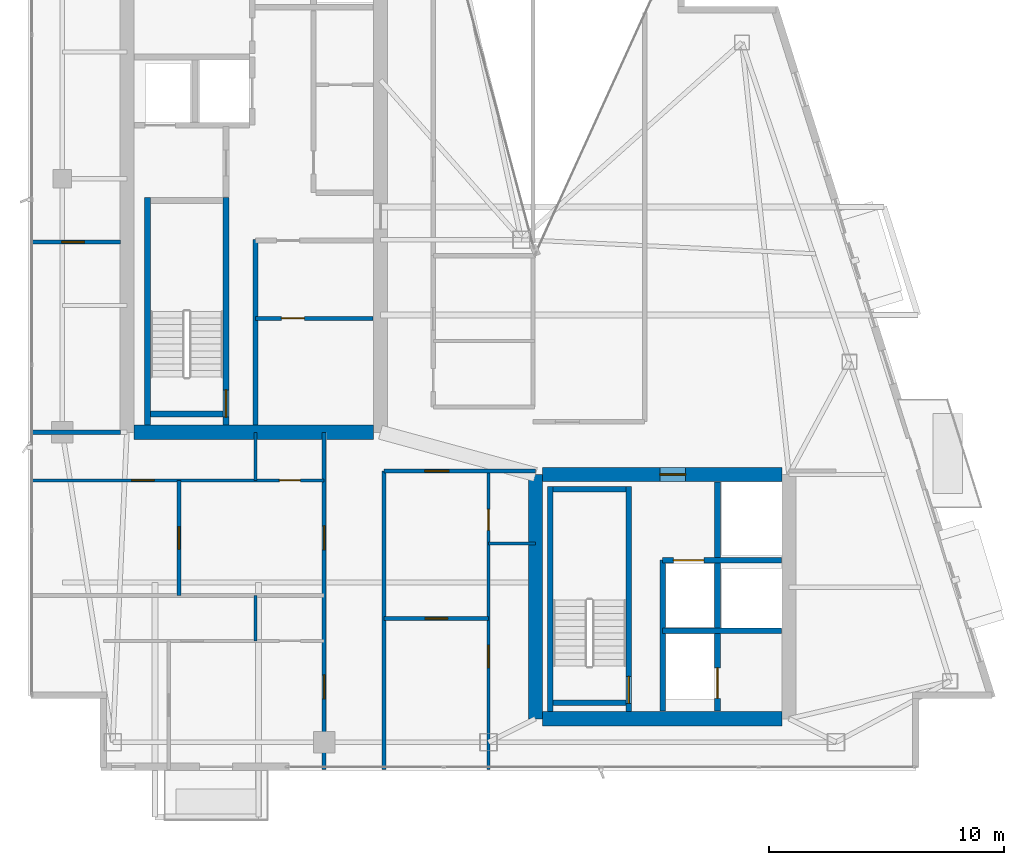
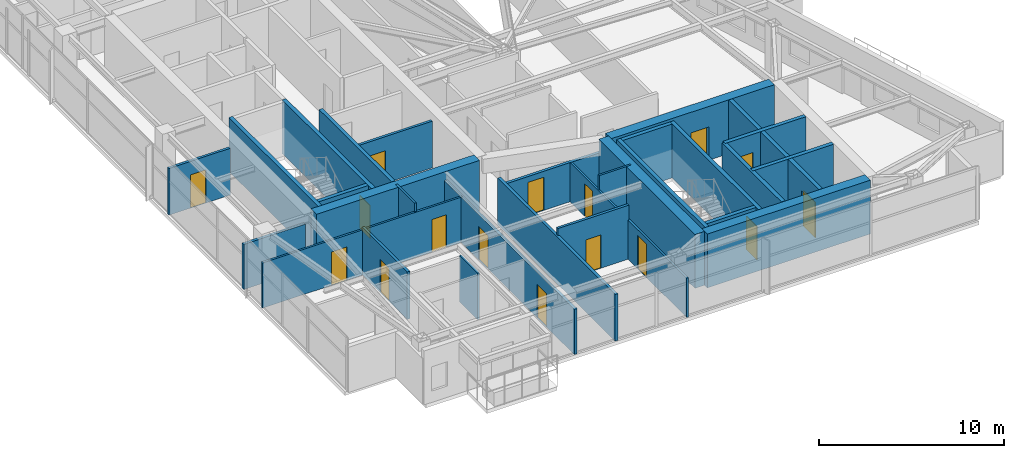
# One storey, part 22 of 27: 29 walls, 16 doors, 16 openings.
"""IFC4 building model written with IfcOpenShell, lengths in metres."""

import ifcopenshell
import ifcopenshell.guid

model = None  # the IFC model being written
_history = None  # IfcOwnerHistory: only IFC2X3 demands one
_inside = {}  # id of a spatial element -> (the spatial element, [elements in it])
_under = {}  # id of a project, library or spatial element -> (it, [spatial elements below it])
_declared = {}  # id of a project -> (the project, [libraries it declares])
_typed = {}  # id of a type object -> (the type object, [elements of that type])
_made_of = {}  # id of a material, layer set ... -> (it, [elements and type objects made of it])


def new_model(schema):
    """Start an empty IFC model of exactly this schema.

    Asked for "IFC4X3", IfcOpenShell would pick the latest addendum, in which some entities
    have other attributes; the version numbers below select the first issue.
    IFC2X3 requires an IfcOwnerHistory on every rooted entity: one is made here for all.
    """
    global model, _history
    if schema == "IFC4X3":
        model = ifcopenshell.file(schema_version=(4, 3, 0, 0))
    else:
        model = ifcopenshell.file(schema=schema)
    _inside.clear()
    _under.clear()
    _declared.clear()
    _typed.clear()
    _made_of.clear()
    _history = None
    if model.schema == "IFC2X3":
        org = make("IfcOrganization", Name="unknown")
        user = make(
            "IfcPersonAndOrganization",
            ThePerson=make("IfcPerson", FamilyName="unknown"),
            TheOrganization=org,
        )
        app = make(
            "IfcApplication",
            ApplicationDeveloper=org,
            Version="unknown",
            ApplicationFullName="unknown",
            ApplicationIdentifier="unknown",
        )
        _history = make(
            "IfcOwnerHistory",
            OwningUser=user,
            OwningApplication=app,
            ChangeAction="ADDED",
            CreationDate=0,
        )
    return model


def make(cls, **values):
    """One entity of the class cls with the attributes given. An attribute that is None is left unset."""
    return model.create_entity(
        cls, **{name: value for name, value in values.items() if value is not None}
    )


def rooted(cls, **values):
    """An entity with a GlobalId (a new one), such as an element, a storey or a relation."""
    return make(cls, GlobalId=ifcopenshell.guid.new(), OwnerHistory=_history, **values)


def si_unit(unit_type, name, prefix=None):
    """IfcSIUnit, for example si_unit("LENGTHUNIT", "METRE", prefix="MILLI")."""
    return make("IfcSIUnit", UnitType=unit_type, Prefix=prefix, Name=name)


def assignment(units):
    """IfcUnitAssignment: the units of a project."""
    return None if units is None else make("IfcUnitAssignment", Units=units)


def point(xyz):
    """IfcCartesianPoint."""
    return None if xyz is None else make("IfcCartesianPoint", Coordinates=xyz)


def direction(xyz):
    """IfcDirection."""
    return None if xyz is None else make("IfcDirection", DirectionRatios=xyz)


def frame(location, z_axis=None, x_axis=None):
    """IfcAxis2Placement3D, a coordinate frame: its origin and axes. An axis left out is left unset."""
    return make(
        "IfcAxis2Placement3D",
        Location=point(location),
        Axis=direction(z_axis),
        RefDirection=direction(x_axis),
    )


def frame_2d(location, x_axis=None):
    """IfcAxis2Placement2D, a coordinate frame in the plane: its origin and x axis."""
    return make(
        "IfcAxis2Placement2D", Location=point(location), RefDirection=direction(x_axis)
    )


def origin():
    """The frame at (0, 0, 0) with its axes left unset."""
    return frame((0.0, 0.0, 0.0))


def place(relative_to, where):
    """IfcLocalPlacement: puts the frame where relative to a parent placement (None: the world)."""
    return make(
        "IfcLocalPlacement", PlacementRelTo=relative_to, RelativePlacement=where
    )


def context(
    kind, dimensions, precision=None, world=None, true_north=None, identifier=None
):
    """IfcGeometricRepresentationContext, for example the 3D "Model" context."""
    return make(
        "IfcGeometricRepresentationContext",
        ContextIdentifier=identifier,
        ContextType=kind,
        CoordinateSpaceDimension=dimensions,
        Precision=precision,
        WorldCoordinateSystem=world,
        TrueNorth=true_north,
    )


def subcontext(parent, identifier, kind, view, scale=None):
    """IfcGeometricRepresentationSubContext, for example "Body" below "Model"."""
    return make(
        "IfcGeometricRepresentationSubContext",
        ContextIdentifier=identifier,
        ContextType=kind,
        ParentContext=parent,
        TargetScale=scale,
        TargetView=view,
    )


def project(units=None, contexts=None):
    """IfcProject with its units and contexts."""
    return rooted(
        "IfcProject",
        Name="project",
        RepresentationContexts=contexts,
        UnitsInContext=assignment(units),
    )


def spatial(cls, under=None, at=None, **own):
    """A site, building, storey or space (cls), placed at a placement, below another one or the project."""
    s = rooted(cls, ObjectPlacement=at, **own)
    if under is not None:
        _under.setdefault(under.id(), (under, []))[1].append(s)
    return s


def profile(cls, at=None, kind="AREA", **sizes):
    """A parametric profile (cls). Its sizes go by their IFC names, for example OverallWidth=200.0."""
    return make(cls, ProfileType=kind, Position=at, **sizes)


def rectangle(**sizes):
    """IfcRectangleProfileDef."""
    return profile("IfcRectangleProfileDef", **sizes)


def extrude(swept, where, along, depth):
    """IfcExtrudedAreaSolid: the profile swept, set in the frame where, extruded along a direction by depth."""
    return make(
        "IfcExtrudedAreaSolid",
        SweptArea=swept,
        Position=where,
        ExtrudedDirection=direction(along),
        Depth=depth,
    )


def shape(context_of_items, identifier, shape_type, items):
    """IfcShapeRepresentation: the items that make up one representation, for example the "Body"."""
    return make(
        "IfcShapeRepresentation",
        ContextOfItems=context_of_items,
        RepresentationIdentifier=identifier,
        RepresentationType=shape_type,
        Items=items,
    )


def material(Name=None, Category=None):
    """IfcMaterial."""
    return make("IfcMaterial", Name=Name, Category=Category)


def layer(
    of_material, thickness, ventilated=None, Name=None, Category=None, Priority=None
):
    """IfcMaterialLayer: one layer of a wall or slab, of a material (None: an air gap)."""
    return make(
        "IfcMaterialLayer",
        Material=of_material,
        LayerThickness=thickness,
        IsVentilated=ventilated,
        Name=Name,
        Category=Category,
        Priority=Priority,
    )


def layer_set(layers, Name=None):
    """IfcMaterialLayerSet."""
    return make("IfcMaterialLayerSet", MaterialLayers=layers, LayerSetName=Name)


def made_of(thing, what):
    """Note that an element or type object is made of a material, layer set ...; save() writes the relation."""
    if what is not None:
        _made_of.setdefault(what.id(), (what, []))[1].append(thing)
    return thing


def type_object(cls, material=None, **own):
    """A type object (cls), such as IfcWallType, which elements share."""
    return made_of(rooted(cls, **own), material)


def element(
    cls,
    number,
    at=None,
    inside=None,
    cuts=None,
    type_object=None,
    material=None,
    context=None,
    identifier="Body",
    shape_type=None,
    held_by="IfcProductDefinitionShape",
    body=None,
    shapes=None,
    **own,
):
    """One element of the class cls, such as IfcWall. Its Tag is "e" and its number.

    at: its placement. inside: the storey or other place that contains it. cuts: it is an
    opening in that element (IfcRelVoidsElement). A single representation is given by context,
    identifier, shape_type and body (its items); several are given by shapes. held_by: the class
    of the entity that holds the representations. save() writes the other relations.
    """
    e = rooted(cls, Tag="e%d" % number, ObjectPlacement=at, **own)
    if body is not None:
        shapes = [shape(context, identifier, shape_type, body)]
    if shapes is not None:
        e.Representation = make(held_by, Representations=shapes)
    if inside is not None:
        _inside.setdefault(inside.id(), (inside, []))[1].append(e)
    if cuts is not None:
        rooted(
            "IfcRelVoidsElement", RelatingBuildingElement=cuts, RelatedOpeningElement=e
        )
    if type_object is not None:
        _typed.setdefault(type_object.id(), (type_object, []))[1].append(e)
    return made_of(e, material)


def fill(opening, filler):
    """IfcRelFillsElement: the door or window that sits in an opening."""
    return rooted(
        "IfcRelFillsElement",
        RelatingOpeningElement=opening,
        RelatedBuildingElement=filler,
    )


def aggregate(whole, parts):
    """IfcRelAggregates: a whole, such as a stair, and the parts it consists of."""
    return rooted("IfcRelAggregates", RelatingObject=whole, RelatedObjects=parts)


def save(model, path):
    """Write the relations noted so far, then the file.

    IfcRelAggregates (storeys below a building ...), IfcRelContainedInSpatialStructure (elements
    in a storey), IfcRelDefinesByType, IfcRelAssociatesMaterial and IfcRelDeclares: one each for
    every whole, place, type object, material and project.
    """
    for whole, parts in _under.values():
        aggregate(whole, parts)
    for where, things in _inside.values():
        rooted(
            "IfcRelContainedInSpatialStructure",
            RelatedElements=things,
            RelatingStructure=where,
        )
    for kind, things in _typed.values():
        rooted("IfcRelDefinesByType", RelatedObjects=things, RelatingType=kind)
    for what, things in _made_of.values():
        rooted("IfcRelAssociatesMaterial", RelatedObjects=things, RelatingMaterial=what)
    for by, libraries in _declared.values():
        rooted("IfcRelDeclares", RelatingContext=by, RelatedDefinitions=libraries)
    model.write(path)


model = new_model("IFC4")

# Units and contexts
model_context = context("Model", 3, precision=1e-05, world=origin(), true_north=direction((0.0, 1.0)))
body_context = subcontext(model_context, "Body", "Model", "MODEL_VIEW")
ifc_project = project(units=[si_unit("LENGTHUNIT", "METRE"), si_unit("AREAUNIT", "SQUARE_METRE"), si_unit("VOLUMEUNIT", "CUBIC_METRE"), si_unit("PLANEANGLEUNIT", "RADIAN"), si_unit("MASSUNIT", "GRAM", prefix="KILO")], contexts=[model_context])

# Site, building, storey
site_placement = place(None, origin())
site = spatial("IfcSite", under=ifc_project, at=site_placement, CompositionType="ELEMENT")
building_placement = place(site_placement, origin())
building = spatial("IfcBuilding", under=site, at=building_placement, Name="Calvorn Quay Hotel", CompositionType="ELEMENT")
storey_placement = place(building_placement, frame((0.0, 0.0, 298.699951171875)))
storey = spatial("IfcBuildingStorey", under=building, at=storey_placement, Name="L74", CompositionType="ELEMENT", Elevation=298.699951171875)

# Walls
ifc_material_1 = material(Name="Concrete C45", Category="concrete")
ifc_layer_1 = layer(ifc_material_1, 0.60009765625)
ifc_layer_set_1 = layer_set([ifc_layer_1], Name="WL-CORE-600")
wall_type_1 = type_object("IfcWallType", Name="WL-CORE-600", PredefinedType="SHEAR", material=ifc_layer_set_1)
wall_1_placement = place(storey_placement, frame((4.5, 16.800048828125, 0.0), z_axis=(0.0, 0.0, 1.0), x_axis=(1.0, 0.0, 0.0)))
element("IfcWall", 1, at=wall_1_placement, inside=storey, type_object=wall_type_1, Name="West Core Shear Wall S (L74)", PredefinedType="SHEAR", context=body_context, shape_type="SweptSolid", body=[
    extrude(rectangle(XDim=10.199951171875, YDim=0.60009765625, at=frame_2d((5.10009765625, 0.0))), origin(), (0.0, 0.0, 1.0), 3.56005859375),
])
wall_2_placement = place(storey_placement, frame((21.60009765625, 4.60009765625, 0.0), z_axis=(0.0, 0.0, 1.0), x_axis=(0.0, 1.0, 0.0)))
element("IfcWall", 2, at=wall_2_placement, inside=storey, type_object=wall_type_1, Name="East Core Shear Wall W (L74)", PredefinedType="SHEAR", context=body_context, shape_type="SweptSolid", body=[
    extrude(rectangle(XDim=10.39990234375, YDim=0.60009765625, at=frame_2d((5.199951171875, 0.0))), origin(), (0.0, 0.0, 1.0), 3.56005859375),
])

# Wall, opening, door
wall_3_placement = place(storey_placement, frame((21.89990234375, 15.0, 0.0), z_axis=(0.0, 0.0, 1.0), x_axis=(1.0, 0.0, 0.0)))
wall_3 = element("IfcWall", 3, at=wall_3_placement, inside=storey, type_object=wall_type_1, Name="East Core Shear Wall N (L74)", PredefinedType="SHEAR", context=body_context, shape_type="SweptSolid", body=[
    extrude(rectangle(XDim=10.2001953125, YDim=0.60009765625, at=frame_2d((5.10009765625, 0.0))), origin(), (0.0, 0.0, 1.0), 3.56005859375),
])
opening_1_placement = place(wall_3_placement, frame((5.0, 0.0, 0.0)))
opening_1 = element("IfcOpeningElement", 4, at=opening_1_placement, cuts=wall_3, Name="Opening D-L74-FLE", PredefinedType="OPENING", context=body_context, shape_type="SweptSolid", body=[
    extrude(rectangle(XDim=1.10009765625, YDim=2.199951171875, at=frame_2d((0.550048828125, 1.10009765625))), frame((0.0, 0.31005859375, 0.0), z_axis=(0.0, -1.0, 0.0), x_axis=(1.0, 0.0, 0.0)), (0.0, 0.0, 1.0), 0.6201171875),
])
ifc_material_2 = material(Name="Smoke-Sealed Steel Class A Fire Door", Category="steel")
door_type_1 = type_object("IfcDoorType", Name="DR-FFLOBBY-1100", OperationType="NOTDEFINED", PredefinedType="DOOR", material=ifc_material_2)
door_1_placement = place(opening_1_placement, origin())
door_1 = element("IfcDoor", 5, at=door_1_placement, inside=storey, type_object=door_type_1, Name="East Firefighting Lobby Fire Door (L74)", OperationType="SINGLE_SWING_RIGHT", OverallHeight=2.199951171875, OverallWidth=1.10009765625, PredefinedType="DOOR", context=body_context, shape_type="SweptSolid", body=[
    extrude(rectangle(XDim=1.10009765625, YDim=2.199951171875, at=frame_2d((0.550048828125, 1.10009765625))), frame((0.0, 0.02490234375, 0.0), z_axis=(0.0, -1.0, 0.0), x_axis=(1.0, 0.0, 0.0)), (0.0, 0.0, 1.0), 0.050048828125),
])
fill(opening_1, door_1)

# Walls
wall_4_placement = place(storey_placement, frame((21.89990234375, 4.60009765625, 0.0), z_axis=(0.0, 0.0, 1.0), x_axis=(1.0, 0.0, 0.0)))
element("IfcWall", 6, at=wall_4_placement, inside=storey, type_object=wall_type_1, Name="East Core Shear Wall S (L74)", PredefinedType="SHEAR", context=body_context, shape_type="SweptSolid", body=[
    extrude(rectangle(XDim=10.2001953125, YDim=0.60009765625, at=frame_2d((5.10009765625, 0.0))), origin(), (0.0, 0.0, 1.0), 3.56005859375),
])
ifc_material_3 = material(Name="Acoustic Fireboard Steel-Stud Partition", Category="steel")
ifc_layer_2 = layer(ifc_material_3, 0.179931640625)
ifc_layer_set_2 = layer_set([ifc_layer_2], Name="WL-CORR-FIRE-180")
wall_type_2 = type_object("IfcWallType", Name="WL-CORR-FIRE-180", PredefinedType="PARTITIONING", material=ifc_layer_set_2)
wall_5_placement = place(storey_placement, frame((0.080078125, 16.800048828125, 0.0), z_axis=(0.0, 0.0, 1.0), x_axis=(1.0, 0.0, 0.0)))
element("IfcWall", 7, at=wall_5_placement, inside=storey, type_object=wall_type_2, Name="Partition Wall L74-WL-WBAY-S-WALL", PredefinedType="PARTITIONING", context=body_context, shape_type="SweptSolid", body=[
    extrude(rectangle(XDim=3.849853515625, YDim=0.179931640625, at=frame_2d((1.9248046875, 0.0))), origin(), (0.0, 0.0, 1.0), 2.989990234375),
])

# Wall, openings, doors
wall_6_placement = place(storey_placement, frame((12.60009765625, 2.43994140625, 0.0), z_axis=(0.0, 0.0, 1.0), x_axis=(0.0, 1.0, 0.0)))
wall_6 = element("IfcWall", 8, at=wall_6_placement, inside=storey, type_object=wall_type_2, Name="Partition Wall L74-WL-CORR-SW-LEG-W", PredefinedType="PARTITIONING", context=body_context, shape_type="SweptSolid", body=[
    extrude(rectangle(XDim=14.360107421875, YDim=0.179931640625, at=frame_2d((7.18017578125, 0.0))), origin(), (0.0, 0.0, 1.0), 2.989990234375),
])
opening_2_placement = place(wall_6_placement, frame((3.010009765625, 0.0, 0.0)))
opening_2 = element("IfcOpeningElement", 9, at=opening_2_placement, cuts=wall_6, Name="Opening D-L74-U01", PredefinedType="OPENING", context=body_context, shape_type="SweptSolid", body=[
    extrude(rectangle(XDim=1.02001953125, YDim=2.199951171875, at=frame_2d((0.510009765625, 1.10009765625))), frame((0.0, 0.099853515625, 0.0), z_axis=(0.0, -1.0, 0.0), x_axis=(1.0, 0.0, 0.0)), (0.0, 0.0, 1.0), 0.199951171875),
])
opening_3_placement = place(wall_6_placement, frame((9.35009765625, 0.0, 0.0)))
opening_3 = element("IfcOpeningElement", 10, at=opening_3_placement, cuts=wall_6, Name="Opening D-L74-U02", PredefinedType="OPENING", context=body_context, shape_type="SweptSolid", body=[
    extrude(rectangle(XDim=1.02001953125, YDim=2.199951171875, at=frame_2d((0.510009765625, 1.10009765625))), frame((0.0, 0.099853515625, 0.0), z_axis=(0.0, -1.0, 0.0), x_axis=(1.0, 0.0, 0.0)), (0.0, 0.0, 1.0), 0.199951171875),
])
ifc_material_4 = material(Name="Solid-Core Walnut Veneer Hotel Fire Door")
door_type_2 = type_object("IfcDoorType", Name="DR-GUEST-ENTRY-1020", OperationType="NOTDEFINED", PredefinedType="DOOR", material=ifc_material_4)
door_2_placement = place(opening_2_placement, origin())
door_2 = element("IfcDoor", 11, at=door_2_placement, inside=storey, type_object=door_type_2, Name="South-West Unit Door U01 (L74)", OperationType="SINGLE_SWING_LEFT", OverallHeight=2.199951171875, OverallWidth=1.02001953125, PredefinedType="DOOR", context=body_context, shape_type="SweptSolid", body=[
    extrude(rectangle(XDim=1.02001953125, YDim=2.199951171875, at=frame_2d((0.510009765625, 1.10009765625))), frame((0.0, 0.02490234375, 0.0), z_axis=(0.0, -1.0, 0.0), x_axis=(1.0, 0.0, 0.0)), (0.0, 0.0, 1.0), 0.050048828125),
])
fill(opening_2, door_2)
door_3_placement = place(opening_3_placement, origin())
door_3 = element("IfcDoor", 12, at=door_3_placement, inside=storey, type_object=door_type_2, Name="South-West Unit Door U02 (L74)", OperationType="SINGLE_SWING_RIGHT", OverallHeight=2.199951171875, OverallWidth=1.02001953125, PredefinedType="DOOR", context=body_context, shape_type="SweptSolid", body=[
    extrude(rectangle(XDim=1.02001953125, YDim=2.199951171875, at=frame_2d((0.510009765625, 1.10009765625))), frame((0.0, 0.02490234375, 0.0), z_axis=(0.0, -1.0, 0.0), x_axis=(1.0, 0.0, 0.0)), (0.0, 0.0, 1.0), 0.050048828125),
])
fill(opening_3, door_3)

# Wall
wall_7_placement = place(storey_placement, frame((15.14990234375, 2.43994140625, 0.0), z_axis=(0.0, 0.0, 1.0), x_axis=(0.0, 1.0, 0.0)))
element("IfcWall", 13, at=wall_7_placement, inside=storey, type_object=wall_type_2, Name="Partition Wall L74-WL-CORR-SW-W", PredefinedType="PARTITIONING", context=body_context, shape_type="SweptSolid", body=[
    extrude(rectangle(XDim=12.7099609375, YDim=0.179931640625, at=frame_2d((6.35498046875, 0.0))), origin(), (0.0, 0.0, 1.0), 3.090087890625),
])

# Wall, opening, door
wall_8_placement = place(storey_placement, frame((15.14990234375, 15.14990234375, 0.0), z_axis=(0.0, 0.0, 1.0), x_axis=(1.0, 0.0, 0.0)))
wall_8 = element("IfcWall", 14, at=wall_8_placement, inside=storey, type_object=wall_type_2, Name="Partition Wall L74-WL-SC-CORR-S", PredefinedType="PARTITIONING", context=body_context, shape_type="SweptSolid", body=[
    extrude(rectangle(XDim=6.4501953125, YDim=0.179931640625, at=frame_2d((3.22509765625, 0.0))), origin(), (0.0, 0.0, 1.0), 2.590087890625),
])
opening_4_placement = place(wall_8_placement, frame((1.739990234375, 0.0, 0.0)))
opening_4 = element("IfcOpeningElement", 15, at=opening_4_placement, cuts=wall_8, Name="Opening D-L74-U03", PredefinedType="OPENING", context=body_context, shape_type="SweptSolid", body=[
    extrude(rectangle(XDim=1.02001953125, YDim=2.199951171875, at=frame_2d((0.510009765625, 1.10009765625))), frame((0.0, 0.099853515625, 0.0), z_axis=(0.0, -1.0, 0.0), x_axis=(1.0, 0.0, 0.0)), (0.0, 0.0, 1.0), 0.199951171875),
])
door_4_placement = place(opening_4_placement, origin())
door_4 = element("IfcDoor", 16, at=door_4_placement, inside=storey, type_object=door_type_2, Name="Harbour Central Unit Door (L74)", OperationType="SINGLE_SWING_LEFT", OverallHeight=2.199951171875, OverallWidth=1.02001953125, PredefinedType="DOOR", context=body_context, shape_type="SweptSolid", body=[
    extrude(rectangle(XDim=1.02001953125, YDim=2.199951171875, at=frame_2d((0.510009765625, 1.10009765625))), frame((0.0, 0.02490234375, 0.0), z_axis=(0.0, -1.0, 0.0), x_axis=(1.0, 0.0, 0.0)), (0.0, 0.0, 1.0), 0.050048828125),
])
fill(opening_4, door_4)

# Walls
ifc_material_5 = material(Name="Moisture-Resistant Tile-Backed Partition")
ifc_layer_3 = layer(ifc_material_5, 0.125)
ifc_layer_set_3 = layer_set([ifc_layer_3], Name="WL-ENSUITE-125")
wall_type_3 = type_object("IfcWallType", Name="WL-ENSUITE-125", PredefinedType="PARTITIONING", material=ifc_layer_set_3)
wall_9_placement = place(storey_placement, frame((9.679931640625, 7.919921875, 0.0), z_axis=(0.0, 0.0, 1.0), x_axis=(0.0, 1.0, 0.0)))
element("IfcWall", 17, at=wall_9_placement, inside=storey, type_object=wall_type_3, Name="Partition Wall L74-WL-U01-BDV", PredefinedType="PARTITIONING", context=body_context, shape_type="SweptSolid", body=[
    extrude(rectangle(XDim=1.93017578125, YDim=0.125, at=frame_2d((0.965087890625, 0.0))), origin(), (0.0, 0.0, 1.0), 3.090087890625),
])
wall_10_placement = place(storey_placement, frame((9.679931640625, 14.75, 0.0), z_axis=(0.0, 0.0, 1.0), x_axis=(0.0, 1.0, 0.0)))
element("IfcWall", 18, at=wall_10_placement, inside=storey, type_object=wall_type_3, Name="Partition Wall L74-WL-U02-BDV", PredefinedType="PARTITIONING", context=body_context, shape_type="SweptSolid", body=[
    extrude(rectangle(XDim=2.050048828125, YDim=0.125, at=frame_2d((1.02490234375, 0.0))), origin(), (0.0, 0.0, 1.0), 3.56005859375),
])

# Wall, openings, doors
wall_11_placement = place(storey_placement, frame((0.080078125, 14.75, 0.0), z_axis=(0.0, 0.0, 1.0), x_axis=(1.0, 0.0, 0.0)))
wall_11 = element("IfcWall", 19, at=wall_11_placement, inside=storey, type_object=wall_type_3, Name="Partition Wall L74-WL-U02-BH", PredefinedType="PARTITIONING", context=body_context, shape_type="SweptSolid", body=[
    extrude(rectangle(XDim=12.52001953125, YDim=0.125, at=frame_2d((6.260009765625, 0.0))), origin(), (0.0, 0.0, 1.0), 2.989990234375),
])
opening_5_placement = place(wall_11_placement, frame((4.320068359375, 0.0, 0.0)))
opening_5 = element("IfcOpeningElement", 20, at=opening_5_placement, cuts=wall_11, Name="Opening D-L74-S02", PredefinedType="OPENING", context=body_context, shape_type="SweptSolid", body=[
    extrude(rectangle(XDim=0.9599609375, YDim=2.199951171875, at=frame_2d((0.47998046875, 1.10009765625))), frame((0.0, 0.072509765625, 0.0), z_axis=(0.0, -1.0, 0.0), x_axis=(1.0, 0.0, 0.0)), (0.0, 0.0, 1.0), 0.14501953125),
])
opening_6_placement = place(wall_11_placement, frame((10.610107421875, 0.0, 0.0)))
opening_6 = element("IfcOpeningElement", 21, at=opening_6_placement, cuts=wall_11, Name="Opening D-L74-E02", PredefinedType="OPENING", context=body_context, shape_type="SweptSolid", body=[
    extrude(rectangle(XDim=0.89990234375, YDim=2.14990234375, at=frame_2d((0.449951171875, 1.074951171875))), frame((0.0, 0.072509765625, 0.0), z_axis=(0.0, -1.0, 0.0), x_axis=(1.0, 0.0, 0.0)), (0.0, 0.0, 1.0), 0.14501953125),
])
ifc_material_6 = material(Name="Moisture-Sealed Timber En-Suite Door", Category="wood")
door_type_3 = type_object("IfcDoorType", Name="DR-ENSUITE-900", OperationType="NOTDEFINED", PredefinedType="DOOR", material=ifc_material_6)
door_5_placement = place(opening_6_placement, origin())
door_5 = element("IfcDoor", 22, at=door_5_placement, inside=storey, type_object=door_type_3, Name="En-Suite Door 02", OperationType="SINGLE_SWING_RIGHT", OverallHeight=2.14990234375, OverallWidth=0.89990234375, PredefinedType="DOOR", context=body_context, shape_type="SweptSolid", body=[
    extrude(rectangle(XDim=0.89990234375, YDim=2.14990234375, at=frame_2d((0.449951171875, 1.074951171875))), frame((0.0, 0.02490234375, 0.0), z_axis=(0.0, -1.0, 0.0), x_axis=(1.0, 0.0, 0.0)), (0.0, 0.0, 1.0), 0.050048828125),
])
fill(opening_6, door_5)
ifc_material_7 = material(Name="Solid Timber Internal Suite Door", Category="wood")
door_type_4 = type_object("IfcDoorType", Name="DR-SUITE-INT-960", OperationType="NOTDEFINED", PredefinedType="DOOR", material=ifc_material_7)
door_6_placement = place(opening_5_placement, origin())
door_6 = element("IfcDoor", 23, at=door_6_placement, inside=storey, type_object=door_type_4, Name="Executive Work Office Door 02", OperationType="SINGLE_SWING_LEFT", OverallHeight=2.199951171875, OverallWidth=0.9599609375, PredefinedType="DOOR", context=body_context, shape_type="SweptSolid", body=[
    extrude(rectangle(XDim=0.9599609375, YDim=2.199951171875, at=frame_2d((0.47998046875, 1.10009765625))), frame((0.0, 0.02490234375, 0.0), z_axis=(0.0, -1.0, 0.0), x_axis=(1.0, 0.0, 0.0)), (0.0, 0.0, 1.0), 0.050048828125),
])
fill(opening_5, door_6)

# Wall
wall_12_placement = place(storey_placement, frame((19.60009765625, 12.070068359375, 0.0), z_axis=(0.0, 0.0, 1.0), x_axis=(1.0, 0.0, 0.0)))
element("IfcWall", 24, at=wall_12_placement, inside=storey, type_object=wall_type_3, Name="Partition Wall L74-WL-U03-BDV", PredefinedType="PARTITIONING", context=body_context, shape_type="SweptSolid", body=[
    extrude(rectangle(XDim=2.0, YDim=0.125, at=frame_2d((1.0, 0.0))), origin(), (0.0, 0.0, 1.0), 3.56005859375),
])

# Wall, openings, doors
wall_13_placement = place(storey_placement, frame((19.60009765625, 2.43994140625, 0.0), z_axis=(0.0, 0.0, 1.0), x_axis=(0.0, 1.0, 0.0)))
wall_13 = element("IfcWall", 25, at=wall_13_placement, inside=storey, type_object=wall_type_3, Name="Partition Wall L74-WL-U03-BV", PredefinedType="PARTITIONING", context=body_context, shape_type="SweptSolid", body=[
    extrude(rectangle(XDim=12.7099609375, YDim=0.125, at=frame_2d((6.35498046875, 0.0))), origin(), (0.0, 0.0, 1.0), 2.590087890625),
])
opening_7_placement = place(wall_13_placement, frame((4.340087890625, 0.0, 0.0)))
opening_7 = element("IfcOpeningElement", 26, at=opening_7_placement, cuts=wall_13, Name="Opening D-L74-S03", PredefinedType="OPENING", context=body_context, shape_type="SweptSolid", body=[
    extrude(rectangle(XDim=0.9599609375, YDim=2.199951171875, at=frame_2d((0.47998046875, 1.10009765625))), frame((0.0, 0.072509765625, 0.0), z_axis=(0.0, -1.0, 0.0), x_axis=(1.0, 0.0, 0.0)), (0.0, 0.0, 1.0), 0.14501953125),
])
opening_8_placement = place(wall_13_placement, frame((10.179931640625, 0.0, 0.0)))
opening_8 = element("IfcOpeningElement", 27, at=opening_8_placement, cuts=wall_13, Name="Opening D-L74-E03", PredefinedType="OPENING", context=body_context, shape_type="SweptSolid", body=[
    extrude(rectangle(XDim=0.89990234375, YDim=2.14990234375, at=frame_2d((0.449951171875, 1.074951171875))), frame((0.0, 0.072509765625, 0.0), z_axis=(0.0, -1.0, 0.0), x_axis=(1.0, 0.0, 0.0)), (0.0, 0.0, 1.0), 0.14501953125),
])
door_7_placement = place(opening_8_placement, origin())
door_7 = element("IfcDoor", 28, at=door_7_placement, inside=storey, type_object=door_type_3, Name="En-Suite Door 03", OperationType="SINGLE_SWING_RIGHT", OverallHeight=2.14990234375, OverallWidth=0.89990234375, PredefinedType="DOOR", context=body_context, shape_type="SweptSolid", body=[
    extrude(rectangle(XDim=0.89990234375, YDim=2.14990234375, at=frame_2d((0.449951171875, 1.074951171875))), frame((0.0, 0.02490234375, 0.0), z_axis=(0.0, -1.0, 0.0), x_axis=(1.0, 0.0, 0.0)), (0.0, 0.0, 1.0), 0.050048828125),
])
fill(opening_8, door_7)
door_8_placement = place(opening_7_placement, origin())
door_8 = element("IfcDoor", 29, at=door_8_placement, inside=storey, type_object=door_type_4, Name="Executive Work Office Door 03", OperationType="SINGLE_SWING_LEFT", OverallHeight=2.199951171875, OverallWidth=0.9599609375, PredefinedType="DOOR", context=body_context, shape_type="SweptSolid", body=[
    extrude(rectangle(XDim=0.9599609375, YDim=2.199951171875, at=frame_2d((0.47998046875, 1.10009765625))), frame((0.0, 0.02490234375, 0.0), z_axis=(0.0, -1.0, 0.0), x_axis=(1.0, 0.0, 0.0)), (0.0, 0.0, 1.0), 0.050048828125),
])
fill(opening_7, door_8)

# Wall, opening, door
ifc_material_8 = material(Name="Double-Stud Acoustic Gypsum Partition")
ifc_layer_4 = layer(ifc_material_8, 0.159912109375)
ifc_layer_set_4 = layer_set([ifc_layer_4], Name="WL-INTERSUITE-160")
wall_type_4 = type_object("IfcWallType", Name="WL-INTERSUITE-160", PredefinedType="PARTITIONING", material=ifc_layer_set_4)
wall_14_placement = place(storey_placement, frame((9.679931640625, 21.64990234375, 0.0), z_axis=(0.0, 0.0, 1.0), x_axis=(1.0, 0.0, 0.0)))
wall_14 = element("IfcWall", 30, at=wall_14_placement, inside=storey, type_object=wall_type_4, Name="Partition Wall L74-WL-CWW-FR-SPLIT", PredefinedType="PARTITIONING", context=body_context, shape_type="SweptSolid", body=[
    extrude(rectangle(XDim=5.0, YDim=0.159912109375, at=frame_2d((2.5, 0.0))), origin(), (0.0, 0.0, 1.0), 3.090087890625),
])
opening_9_placement = place(wall_14_placement, frame((1.10009765625, 0.0, 0.0)))
opening_9 = element("IfcOpeningElement", 31, at=opening_9_placement, cuts=wall_14, Name="Opening D-L74-FRL1", PredefinedType="OPENING", context=body_context, shape_type="SweptSolid", body=[
    extrude(rectangle(XDim=0.97998046875, YDim=2.14990234375, at=frame_2d((0.489990234375, 1.074951171875))), frame((0.0, 0.08984375, 0.0), z_axis=(0.0, -1.0, 0.0), x_axis=(1.0, 0.0, 0.0)), (0.0, 0.0, 1.0), 0.179931640625),
])
ifc_material_9 = material(Name="Painted Steel Housekeeping/Riser Fire Door", Category="steel")
door_type_5 = type_object("IfcDoorType", Name="DR-SERVICE-980", OperationType="NOTDEFINED", PredefinedType="DOOR", material=ifc_material_9)
door_9_placement = place(opening_9_placement, origin())
door_9 = element("IfcDoor", 32, at=door_9_placement, inside=storey, type_object=door_type_5, Name="Linen Store Room Door (L74)", OperationType="SINGLE_SWING_LEFT", OverallHeight=2.14990234375, OverallWidth=0.97998046875, PredefinedType="DOOR", context=body_context, shape_type="SweptSolid", body=[
    extrude(rectangle(XDim=0.97998046875, YDim=2.14990234375, at=frame_2d((0.489990234375, 1.074951171875))), frame((0.0, 0.02490234375, 0.0), z_axis=(0.0, -1.0, 0.0), x_axis=(1.0, 0.0, 0.0)), (0.0, 0.0, 1.0), 0.050048828125),
])
fill(opening_9, door_9)

wall_15_placement = place(storey_placement, frame((0.080078125, 24.89990234375, 0.0), z_axis=(0.0, 0.0, 1.0), x_axis=(1.0, 0.0, 0.0)))
wall_15 = element("IfcWall", 33, at=wall_15_placement, inside=storey, type_object=wall_type_4, Name="Partition Wall L74-WL-WBAY-DIV", PredefinedType="PARTITIONING", context=body_context, shape_type="SweptSolid", body=[
    extrude(rectangle(XDim=3.849853515625, YDim=0.159912109375, at=frame_2d((1.9248046875, 0.0))), origin(), (0.0, 0.0, 1.0), 3.090087890625),
])
opening_10_placement = place(wall_15_placement, frame((1.35009765625, 0.0, 0.0)))
opening_10 = element("IfcOpeningElement", 34, at=opening_10_placement, cuts=wall_15, Name="Opening D-L74-WBD", PredefinedType="OPENING", context=body_context, shape_type="SweptSolid", body=[
    extrude(rectangle(XDim=0.9599609375, YDim=2.199951171875, at=frame_2d((0.47998046875, 1.10009765625))), frame((0.0, 0.08984375, 0.0), z_axis=(0.0, -1.0, 0.0), x_axis=(1.0, 0.0, 0.0)), (0.0, 0.0, 1.0), 0.179931640625),
])
door_10_placement = place(opening_10_placement, origin())
door_10 = element("IfcDoor", 35, at=door_10_placement, inside=storey, type_object=door_type_4, Name="West Bay Connecting Door (L74)", OperationType="SINGLE_SWING_LEFT", OverallHeight=2.199951171875, OverallWidth=0.9599609375, PredefinedType="DOOR", context=body_context, shape_type="SweptSolid", body=[
    extrude(rectangle(XDim=0.9599609375, YDim=2.199951171875, at=frame_2d((0.47998046875, 1.10009765625))), frame((0.0, 0.02490234375, 0.0), z_axis=(0.0, -1.0, 0.0), x_axis=(1.0, 0.0, 0.0)), (0.0, 0.0, 1.0), 0.050048828125),
])
fill(opening_10, door_10)

wall_16_placement = place(storey_placement, frame((6.419921875, 9.85009765625, 0.0), z_axis=(0.0, 0.0, 1.0), x_axis=(0.0, 1.0, 0.0)))
wall_16 = element("IfcWall", 36, at=wall_16_placement, inside=storey, type_object=wall_type_4, Name="Partition Wall L74-WL-U02-MSP", PredefinedType="PARTITIONING", context=body_context, shape_type="SweptSolid", body=[
    extrude(rectangle(XDim=4.89990234375, YDim=0.159912109375, at=frame_2d((2.449951171875, 0.0))), origin(), (0.0, 0.0, 1.0), 3.14013671875),
])
opening_11_placement = place(wall_16_placement, frame((1.969970703125, 0.0, 0.0)))
opening_11 = element("IfcOpeningElement", 37, at=opening_11_placement, cuts=wall_16, Name="Opening D-L74-M02", PredefinedType="OPENING", context=body_context, shape_type="SweptSolid", body=[
    extrude(rectangle(XDim=0.9599609375, YDim=2.199951171875, at=frame_2d((0.47998046875, 1.10009765625))), frame((0.0, 0.08984375, 0.0), z_axis=(0.0, -1.0, 0.0), x_axis=(1.0, 0.0, 0.0)), (0.0, 0.0, 1.0), 0.179931640625),
])
door_11_placement = place(opening_11_placement, origin())
door_11 = element("IfcDoor", 38, at=door_11_placement, inside=storey, type_object=door_type_4, Name="Suite Bedroom Door 02", OperationType="SINGLE_SWING_LEFT", OverallHeight=2.199951171875, OverallWidth=0.9599609375, PredefinedType="DOOR", context=body_context, shape_type="SweptSolid", body=[
    extrude(rectangle(XDim=0.9599609375, YDim=2.199951171875, at=frame_2d((0.47998046875, 1.10009765625))), frame((0.0, 0.02490234375, 0.0), z_axis=(0.0, -1.0, 0.0), x_axis=(1.0, 0.0, 0.0)), (0.0, 0.0, 1.0), 0.050048828125),
])
fill(opening_11, door_11)

wall_17_placement = place(storey_placement, frame((15.14990234375, 8.8701171875, 0.0), z_axis=(0.0, 0.0, 1.0), x_axis=(1.0, 0.0, 0.0)))
wall_17 = element("IfcWall", 39, at=wall_17_placement, inside=storey, type_object=wall_type_4, Name="Partition Wall L74-WL-U03-MSP", PredefinedType="PARTITIONING", context=body_context, shape_type="SweptSolid", body=[
    extrude(rectangle(XDim=4.4501953125, YDim=0.159912109375, at=frame_2d((2.22509765625, 0.0))), origin(), (0.0, 0.0, 1.0), 3.56005859375),
])
opening_12_placement = place(wall_17_placement, frame((1.75, 0.0, 0.0)))
opening_12 = element("IfcOpeningElement", 40, at=opening_12_placement, cuts=wall_17, Name="Opening D-L74-M03", PredefinedType="OPENING", context=body_context, shape_type="SweptSolid", body=[
    extrude(rectangle(XDim=0.9599609375, YDim=2.199951171875, at=frame_2d((0.47998046875, 1.10009765625))), frame((0.0, 0.08984375, 0.0), z_axis=(0.0, -1.0, 0.0), x_axis=(1.0, 0.0, 0.0)), (0.0, 0.0, 1.0), 0.179931640625),
])
door_12_placement = place(opening_12_placement, origin())
door_12 = element("IfcDoor", 41, at=door_12_placement, inside=storey, type_object=door_type_4, Name="Suite Bedroom Door 03", OperationType="SINGLE_SWING_LEFT", OverallHeight=2.199951171875, OverallWidth=0.9599609375, PredefinedType="DOOR", context=body_context, shape_type="SweptSolid", body=[
    extrude(rectangle(XDim=0.9599609375, YDim=2.199951171875, at=frame_2d((0.47998046875, 1.10009765625))), frame((0.0, 0.02490234375, 0.0), z_axis=(0.0, -1.0, 0.0), x_axis=(1.0, 0.0, 0.0)), (0.0, 0.0, 1.0), 0.050048828125),
])
fill(opening_12, door_12)

# Walls
ifc_material_10 = material(Name="Autoclaved Aerated Masonry Block", Category="masonry")
ifc_layer_5 = layer(ifc_material_10, 0.219970703125)
ifc_layer_set_5 = layer_set([ifc_layer_5], Name="WL-LOBBY-FIRE-220")
wall_type_5 = type_object("IfcWallType", Name="WL-LOBBY-FIRE-220", PredefinedType="SOLIDWALL", material=ifc_layer_set_5)
wall_18_placement = place(storey_placement, frame((9.679931640625, 17.1201171875, 0.0), z_axis=(0.0, 0.0, 1.0), x_axis=(0.0, 1.0, 0.0)))
element("IfcWall", 42, at=wall_18_placement, inside=storey, type_object=wall_type_5, Name="Partition Wall L74-WL-CWW-STW-HALL-E", PredefinedType="SOLIDWALL", context=body_context, shape_type="SweptSolid", body=[
    extrude(rectangle(XDim=7.8798828125, YDim=0.219970703125, at=frame_2d((3.93994140625, 0.0))), origin(), (0.0, 0.0, 1.0), 3.56005859375),
])
ifc_material_11 = material(Name="Concrete C40", Category="concrete")
ifc_layer_6 = layer(ifc_material_11, 0.239990234375)
ifc_layer_set_6 = layer_set([ifc_layer_6], Name="WL-SHAFT-240")
wall_type_6 = type_object("IfcWallType", Name="WL-SHAFT-240", PredefinedType="SOLIDWALL", material=ifc_layer_set_6)
wall_19_placement = place(storey_placement, frame((5.080078125, 17.10009765625, 0.0), z_axis=(0.0, 0.0, 1.0), x_axis=(0.0, 1.0, 0.0)))
element("IfcWall", 43, at=wall_19_placement, inside=storey, type_object=wall_type_6, Name="Stair STW Shaft Wall W (L74)", PredefinedType="SOLIDWALL", context=body_context, shape_type="SweptSolid", body=[
    extrude(rectangle(XDim=9.68994140625, YDim=0.239990234375, at=frame_2d((4.844970703125, 0.0))), origin(), (0.0, 0.0, 1.0), 3.56005859375),
])

# Wall, opening, door
wall_20_placement = place(storey_placement, frame((8.419921875, 17.10009765625, 0.0), z_axis=(0.0, 0.0, 1.0), x_axis=(0.0, 1.0, 0.0)))
wall_20 = element("IfcWall", 44, at=wall_20_placement, inside=storey, type_object=wall_type_6, Name="Stair STW Shaft Wall E (L74)", PredefinedType="SOLIDWALL", context=body_context, shape_type="SweptSolid", body=[
    extrude(rectangle(XDim=9.68994140625, YDim=0.239990234375, at=frame_2d((4.844970703125, 0.0))), origin(), (0.0, 0.0, 1.0), 3.56005859375),
])
opening_13_placement = place(wall_20_placement, frame((0.35009765625, 0.0, 0.0)))
opening_13 = element("IfcOpeningElement", 45, at=opening_13_placement, cuts=wall_20, Name="Opening D-L74-STW", PredefinedType="OPENING", context=body_context, shape_type="SweptSolid", body=[
    extrude(rectangle(XDim=1.14990234375, YDim=2.199951171875, at=frame_2d((0.574951171875, 1.10009765625))), frame((0.0, 0.1298828125, 0.0), z_axis=(0.0, -1.0, 0.0), x_axis=(1.0, 0.0, 0.0)), (0.0, 0.0, 1.0), 0.260009765625),
])
ifc_material_12 = material(Name="Galvanised Steel Class A Fire Door", Category="steel")
door_type_6 = type_object("IfcDoorType", Name="DR-STAIR-SMOKE-1150", OperationType="NOTDEFINED", PredefinedType="DOOR", material=ifc_material_12)
door_13_placement = place(opening_13_placement, origin())
door_13 = element("IfcDoor", 46, at=door_13_placement, inside=storey, type_object=door_type_6, Name="Stair ST-W Fire Door (L74)", OperationType="SINGLE_SWING_LEFT", OverallHeight=2.199951171875, OverallWidth=1.14990234375, PredefinedType="DOOR", context=body_context, shape_type="SweptSolid", body=[
    extrude(rectangle(XDim=1.14990234375, YDim=2.199951171875, at=frame_2d((0.574951171875, 1.10009765625))), frame((0.0, 0.02490234375, 0.0), z_axis=(0.0, -1.0, 0.0), x_axis=(1.0, 0.0, 0.0)), (0.0, 0.0, 1.0), 0.050048828125),
])
fill(opening_13, door_13)

# Walls
wall_21_placement = place(storey_placement, frame((5.199951171875, 17.580078125, 0.0), z_axis=(0.0, 0.0, 1.0), x_axis=(1.0, 0.0, 0.0)))
element("IfcWall", 47, at=wall_21_placement, inside=storey, type_object=wall_type_6, Name="Stair STW Shaft Wall S (L74)", PredefinedType="SOLIDWALL", context=body_context, shape_type="SweptSolid", body=[
    extrude(rectangle(XDim=3.10009765625, YDim=0.239990234375, at=frame_2d((1.550048828125, 0.0))), origin(), (0.0, 0.0, 1.0), 3.56005859375),
])
wall_22_placement = place(storey_placement, frame((22.22998046875, 4.89990234375, 0.0), z_axis=(0.0, 0.0, 1.0), x_axis=(0.0, 1.0, 0.0)))
element("IfcWall", 48, at=wall_22_placement, inside=storey, type_object=wall_type_6, Name="Stair STE Shaft Wall W (L74)", PredefinedType="SOLIDWALL", context=body_context, shape_type="SweptSolid", body=[
    extrude(rectangle(XDim=9.590087890625, YDim=0.239990234375, at=frame_2d((4.794921875, 0.0))), origin(), (0.0, 0.0, 1.0), 3.56005859375),
])

# Wall, opening, door
wall_23_placement = place(storey_placement, frame((25.570068359375, 4.89990234375, 0.0), z_axis=(0.0, 0.0, 1.0), x_axis=(0.0, 1.0, 0.0)))
wall_23 = element("IfcWall", 49, at=wall_23_placement, inside=storey, type_object=wall_type_6, Name="Stair STE Shaft Wall E (L74)", PredefinedType="SOLIDWALL", context=body_context, shape_type="SweptSolid", body=[
    extrude(rectangle(XDim=9.590087890625, YDim=0.239990234375, at=frame_2d((4.794921875, 0.0))), origin(), (0.0, 0.0, 1.0), 3.56005859375),
])
opening_14_placement = place(wall_23_placement, frame((0.35009765625, 0.0, 0.0)))
opening_14 = element("IfcOpeningElement", 50, at=opening_14_placement, cuts=wall_23, Name="Opening D-L74-STE", PredefinedType="OPENING", context=body_context, shape_type="SweptSolid", body=[
    extrude(rectangle(XDim=1.14990234375, YDim=2.199951171875, at=frame_2d((0.574951171875, 1.10009765625))), frame((0.0, 0.1298828125, 0.0), z_axis=(0.0, -1.0, 0.0), x_axis=(1.0, 0.0, 0.0)), (0.0, 0.0, 1.0), 0.260009765625),
])
door_14_placement = place(opening_14_placement, origin())
door_14 = element("IfcDoor", 51, at=door_14_placement, inside=storey, type_object=door_type_6, Name="Stair ST-E Fire Door (L74)", OperationType="SINGLE_SWING_RIGHT", OverallHeight=2.199951171875, OverallWidth=1.14990234375, PredefinedType="DOOR", context=body_context, shape_type="SweptSolid", body=[
    extrude(rectangle(XDim=1.14990234375, YDim=2.199951171875, at=frame_2d((0.574951171875, 1.10009765625))), frame((0.0, 0.02490234375, 0.0), z_axis=(0.0, -1.0, 0.0), x_axis=(1.0, 0.0, 0.0)), (0.0, 0.0, 1.0), 0.050048828125),
])
fill(opening_14, door_14)

# Walls
for number, where, z_axis, x_axis, name in (
    (52, (22.35009765625, 5.280029296875, 0.0), (0.0, 0.0, 1.0), (1.0, 0.0, 0.0), "Stair STE Shaft Wall S (L74)"),
    (53, (22.35009765625, 14.3701171875, 0.0), (0.0, 0.0, 1.0), (1.0, 0.0, 0.0), "Stair STE Shaft Wall N (L74)"),
):
    element("IfcWall", number, at=place(storey_placement, frame(where, z_axis=z_axis, x_axis=x_axis)), inside=storey, type_object=wall_type_6, Name=name, PredefinedType="SOLIDWALL", context=body_context, shape_type="SweptSolid", body=[
        extrude(rectangle(XDim=3.099853515625, YDim=0.239990234375, at=frame_2d((1.5498046875, 0.0))), origin(), (0.0, 0.0, 1.0), 3.56005859375),
    ])
wall_24_placement = place(storey_placement, frame((27.02001953125, 4.919921875, 0.0), z_axis=(0.0, 0.0, 1.0), x_axis=(0.0, 1.0, 0.0)))
element("IfcWall", 54, at=wall_24_placement, inside=storey, type_object=wall_type_6, Name="Partition Wall L74-WL-CWE-SH-W", PredefinedType="SOLIDWALL", context=body_context, shape_type="SweptSolid", body=[
    extrude(rectangle(XDim=6.43017578125, YDim=0.239990234375, at=frame_2d((3.215087890625, 0.0))), origin(), (0.0, 0.0, 1.0), 3.56005859375),
])

# Wall, opening, door
wall_25_placement = place(storey_placement, frame((27.02001953125, 11.35009765625, 0.0), z_axis=(0.0, 0.0, 1.0), x_axis=(1.0, 0.0, 0.0)))
wall_25 = element("IfcWall", 55, at=wall_25_placement, inside=storey, type_object=wall_type_6, Name="Partition Wall L74-WL-CWE-FFL-S", PredefinedType="SOLIDWALL", context=body_context, shape_type="SweptSolid", body=[
    extrude(rectangle(XDim=5.06005859375, YDim=0.239990234375, at=frame_2d((2.530029296875, 0.0))), origin(), (0.0, 0.0, 1.0), 3.56005859375),
])
opening_15_placement = place(wall_25_placement, frame((0.449951171875, 0.0, 0.0)))
opening_15 = element("IfcOpeningElement", 56, at=opening_15_placement, cuts=wall_25, Name="Opening LD-L74-FLE1", PredefinedType="OPENING", context=body_context, shape_type="SweptSolid", body=[
    extrude(rectangle(XDim=1.300048828125, YDim=2.35009765625, at=frame_2d((0.64990234375, 1.175048828125))), frame((0.0, 0.1298828125, 0.0), z_axis=(0.0, -1.0, 0.0), x_axis=(1.0, 0.0, 0.0)), (0.0, 0.0, 1.0), 0.260009765625),
])
ifc_material_13 = material(Name="Champagne-Bronze Sliding Express Lift Landing Door")
door_type_7 = type_object("IfcDoorType", Name="DR-LIFT-SHUTTLE-1300", OperationType="NOTDEFINED", PredefinedType="DOOR", material=ifc_material_13)
door_15_placement = place(opening_15_placement, origin())
door_15 = element("IfcDoor", 57, at=door_15_placement, inside=storey, type_object=door_type_7, Name="Firefighting Lift FL-E1 Landing Door (L74)", OperationType="DOUBLE_DOOR_SLIDING", OverallHeight=2.35009765625, OverallWidth=1.300048828125, PredefinedType="DOOR", context=body_context, shape_type="SweptSolid", body=[
    extrude(rectangle(XDim=1.300048828125, YDim=2.35009765625, at=frame_2d((0.64990234375, 1.175048828125))), frame((0.0, 0.02490234375, 0.0), z_axis=(0.0, -1.0, 0.0), x_axis=(1.0, 0.0, 0.0)), (0.0, 0.0, 1.0), 0.050048828125),
])
fill(opening_15, door_15)

# Wall
wall_26_placement = place(storey_placement, frame((27.02001953125, 8.35009765625, 0.0), z_axis=(0.0, 0.0, 1.0), x_axis=(1.0, 0.0, 0.0)))
element("IfcWall", 58, at=wall_26_placement, inside=storey, type_object=wall_type_6, Name="Partition Wall L74-WL-CWE-SL-N", PredefinedType="SOLIDWALL", context=body_context, shape_type="SweptSolid", body=[
    extrude(rectangle(XDim=5.06005859375, YDim=0.239990234375, at=frame_2d((2.530029296875, 0.0))), origin(), (0.0, 0.0, 1.0), 3.56005859375),
])

# Wall, opening, door
wall_27_placement = place(storey_placement, frame((29.35009765625, 4.919921875, 0.0), z_axis=(0.0, 0.0, 1.0), x_axis=(0.0, 1.0, 0.0)))
wall_27 = element("IfcWall", 59, at=wall_27_placement, inside=storey, type_object=wall_type_6, Name="Partition Wall L74-WL-CWE-OB-W", PredefinedType="SOLIDWALL", context=body_context, shape_type="SweptSolid", body=[
    extrude(rectangle(XDim=9.760009765625, YDim=0.239990234375, at=frame_2d((4.8798828125, 0.0))), origin(), (0.0, 0.0, 1.0), 3.56005859375),
])
opening_16_placement = place(wall_27_placement, frame((0.550048828125, 0.0, 0.0)))
opening_16 = element("IfcOpeningElement", 60, at=opening_16_placement, cuts=wall_27, Name="Opening LD-L74-SLEI", PredefinedType="OPENING", context=body_context, shape_type="SweptSolid", body=[
    extrude(rectangle(XDim=1.300048828125, YDim=2.35009765625, at=frame_2d((0.64990234375, 1.175048828125))), frame((0.0, 0.1298828125, 0.0), z_axis=(0.0, -1.0, 0.0), x_axis=(1.0, 0.0, 0.0)), (0.0, 0.0, 1.0), 0.260009765625),
])
door_16_placement = place(opening_16_placement, origin())
door_16 = element("IfcDoor", 61, at=door_16_placement, inside=storey, type_object=door_type_7, Name="Service Lift SL-E1 Landing Door (L74)", OperationType="DOUBLE_DOOR_SLIDING", OverallHeight=2.35009765625, OverallWidth=1.300048828125, PredefinedType="DOOR", context=body_context, shape_type="SweptSolid", body=[
    extrude(rectangle(XDim=1.300048828125, YDim=2.35009765625, at=frame_2d((0.64990234375, 1.175048828125))), frame((0.0, 0.02490234375, 0.0), z_axis=(0.0, -1.0, 0.0), x_axis=(1.0, 0.0, 0.0)), (0.0, 0.0, 1.0), 0.050048828125),
])
fill(opening_16, door_16)

save(model, "model.ifc")
